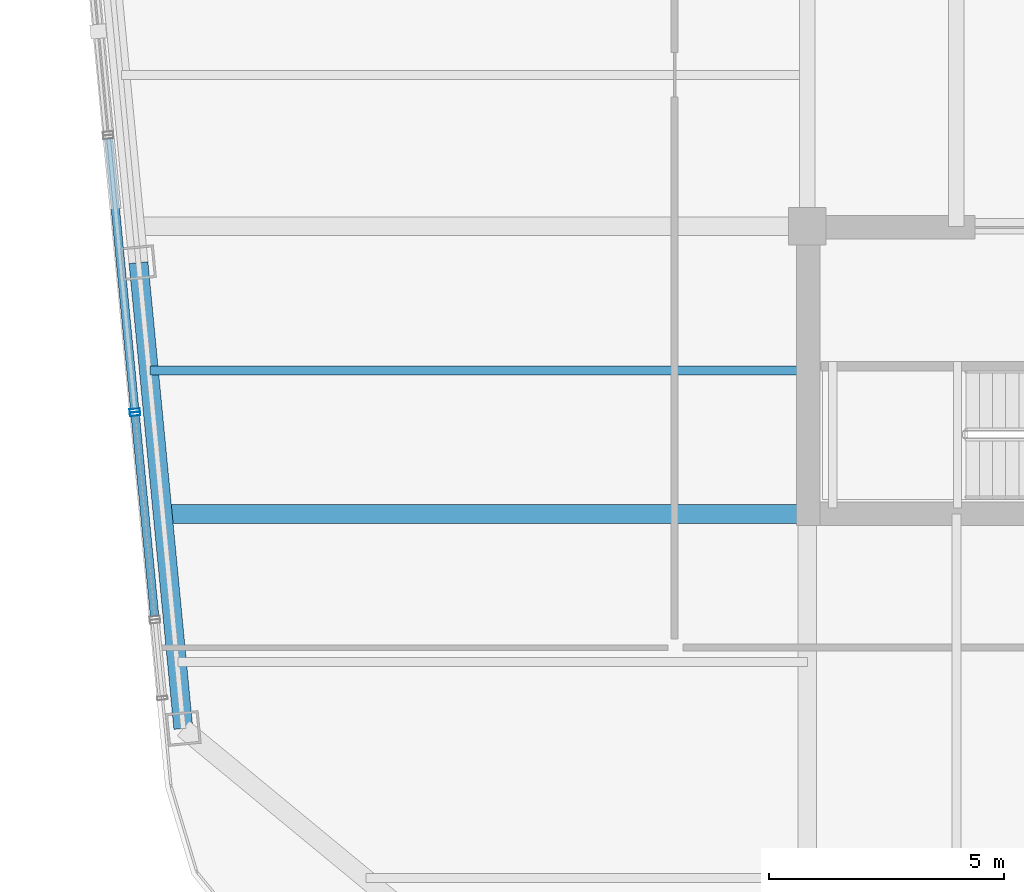
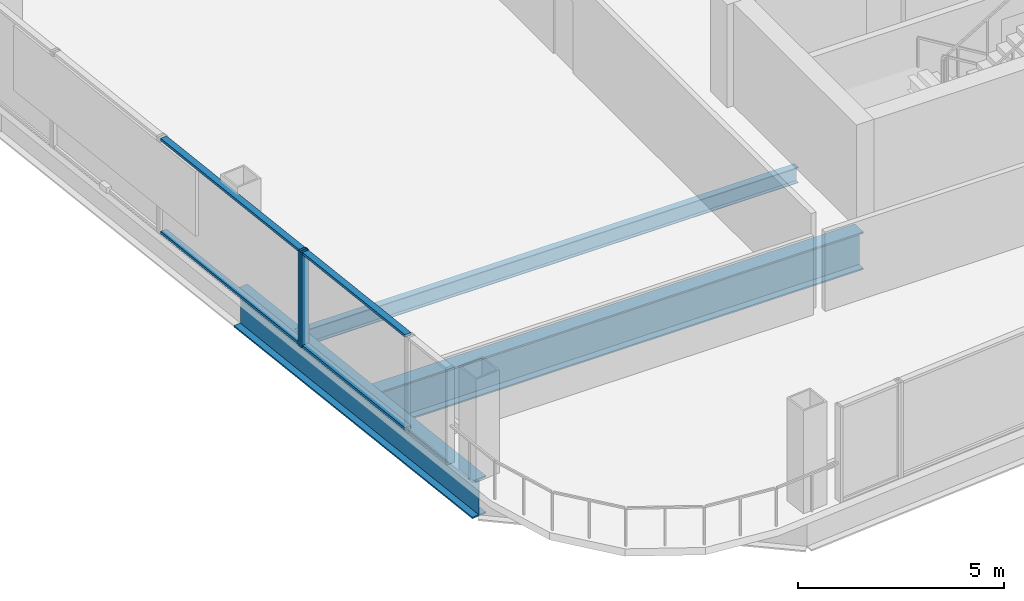
# One storey, part 3 of 28: 6 members, 3 beams, 2 elements without a shape of their own.
"""IFC4 building model written with IfcOpenShell, lengths in metres."""

from ifc_helpers import new_model, si_unit, direction, frame, origin, origin_2d, place, context, subcontext, project, spatial, hollow_rectangle, i_section, extrude, material, layer, layer_set, material_profile, profile_set, type_object, element, aggregate, save


model = new_model("IFC4")

# Units and contexts
model_context = context("Model", 3, precision=1e-05, world=origin(), true_north=direction((0.0, 1.0)))
body_context = subcontext(model_context, "Body", "Model", "MODEL_VIEW")
ifc_project = project(units=[si_unit("LENGTHUNIT", "METRE"), si_unit("AREAUNIT", "SQUARE_METRE"), si_unit("VOLUMEUNIT", "CUBIC_METRE"), si_unit("PLANEANGLEUNIT", "RADIAN"), si_unit("MASSUNIT", "GRAM", prefix="KILO")], contexts=[model_context])

# Site, building, storey
site_placement = place(None, origin())
site = spatial("IfcSite", under=ifc_project, at=site_placement, CompositionType="ELEMENT")
building_placement = place(site_placement, origin())
building = spatial("IfcBuilding", under=site, at=building_placement, Name="Qhalaya Broadcast Tower", CompositionType="ELEMENT")
storey_placement = place(building_placement, frame((0.0, 0.0, 159.199951171875)))
storey = spatial("IfcBuildingStorey", under=building, at=storey_placement, Name="L46", CompositionType="ELEMENT", Elevation=159.199951171875)

# Beams
ifc_material_1 = material(Name="Structural Steel ASTM A992 Grade 50", Category="steel")
ifc_material_profile_1 = material_profile(ifc_material_1, i_section(OverallWidth=0.19189453125, OverallDepth=0.462890625, WebThickness=0.010498046875, FlangeThickness=0.017578125, at=origin_2d()), Name="W18X60")
ifc_profile_set_1 = profile_set([ifc_material_profile_1], Name="Structural Steel ASTM A992 Grade 50")
beam_type_1 = type_object("IfcBeamType", Name="Composite Floor Joist J03", PredefinedType="JOIST", material=ifc_profile_set_1)
beam_1_placement = place(storey_placement, frame((-23.375732421875, -5.699951171875, -0.451416015625), z_axis=(1.0, 0.0, 0.0), x_axis=(0.0, 1.0, 0.0)))
element("IfcBeam", 1, at=beam_1_placement, inside=storey, type_object=beam_type_1, Name="L46 J03 L46-JWE3W-1", PredefinedType="JOIST", context=body_context, shape_type="SweptSolid", body=[
    extrude(i_section(OverallWidth=0.19189453125, OverallDepth=0.462890625, WebThickness=0.010498046875, FlangeThickness=0.017578125, at=origin_2d()), origin(), (0.0, 0.0, 1.0), 14.000732421875),
])
ifc_material_profile_2 = material_profile(ifc_material_1, i_section(OverallWidth=0.404052734375, OverallDepth=1.117919921875, WebThickness=0.026123046875, FlangeThickness=0.044921875, at=origin_2d()), Name="W44X335")
ifc_profile_set_2 = profile_set([ifc_material_profile_2], Name="Structural Steel ASTM A992 Grade 50")
beam_type_2 = type_object("IfcBeamType", Name="Podium Long-Span Primary Girder PG1", PredefinedType="USERDEFINED", material=ifc_profile_set_2)
beam_2_placement = place(storey_placement, frame((-23.6171875, -3.399658203125, -0.779052734375), z_axis=(0.09582862993, -0.995397846936, 0.0), x_axis=(0.995397846936, 0.09582862993, 0.0)))
element("IfcBeam", 2, at=beam_2_placement, inside=storey, type_object=beam_type_2, Name="L46 PG1 L46-SPR-15", ObjectType="GIRDER", PredefinedType="USERDEFINED", context=body_context, shape_type="SweptSolid", body=[
    extrude(i_section(OverallWidth=0.404052734375, OverallDepth=1.117919921875, WebThickness=0.026123046875, FlangeThickness=0.044921875, at=origin_2d()), origin(), (0.0, 0.0, 1.0), 9.966552734375),
])
beam_3_placement = place(storey_placement, frame((-23.08203125, -8.75, -0.779052734375), z_axis=(1.0, 0.0, 0.0), x_axis=(0.0, 1.0, 0.0)))
element("IfcBeam", 3, at=beam_3_placement, inside=storey, type_object=beam_type_2, Name="L46 PG1 L46-PGYW1-1", ObjectType="GIRDER", PredefinedType="USERDEFINED", context=body_context, shape_type="SweptSolid", body=[
    extrude(i_section(OverallWidth=0.404052734375, OverallDepth=1.117919921875, WebThickness=0.026123046875, FlangeThickness=0.044921875, at=origin_2d()), origin(), (0.0, 0.0, 1.0), 13.70703125),
])

# Curtain wall, member
ifc_material_2 = material(Name="Fired Architectural Terracotta", Category="masonry")
ifc_layer_1 = layer(ifc_material_2, 0.219970703125, Name="Fired Architectural Terracotta")
ifc_layer_set_1 = layer_set([ifc_layer_1], Name="Fired Architectural Terracotta")
curtain_wall_type_1 = type_object("IfcCurtainWallType", Name="Block-Cap Unitised Terracotta Spandrel Wall CW-07", PredefinedType="NOTDEFINED", material=ifc_layer_set_1)
curtain_wall_1_placement = place(storey_placement, origin())
curtain_wall_1 = element("IfcCurtainWall", 4, at=curtain_wall_1_placement, inside=storey, type_object=curtain_wall_type_1, Name="L46 Unitised Curtain Wall L46-CW-W5", PredefinedType="NOTDEFINED")
ifc_material_3 = material(Name="Anodised Aluminium 6063-T6", Category="aluminium")
ifc_material_profile_3 = material_profile(ifc_material_3, hollow_rectangle(XDim=0.074951171875, YDim=0.219970703125, WallThickness=0.00390625, at=origin_2d()), Name="ALU-MUL 75x220x4")
ifc_profile_set_3 = profile_set([ifc_material_profile_3], Name="Anodised Aluminium 6063-T6")
member_type_1 = type_object("IfcMemberType", Name="Unitised Curtain-Wall Mullion M01", PredefinedType="MULLION", material=ifc_profile_set_3)
member_1_placement = place(storey_placement, frame((-23.69580078125, -6.548828125, 0.0), z_axis=(0.0, 0.0, 1.0), x_axis=(0.095849311193, -0.9953958557, 0.0)))
member_1 = element("IfcMember", 5, at=member_1_placement, type_object=member_type_1, Name="CW-07 mullion 2", PredefinedType="MULLION", context=body_context, shape_type="SweptSolid", body=[
    extrude(hollow_rectangle(XDim=0.074951171875, YDim=0.219970703125, WallThickness=0.00390625, at=origin_2d()), origin(), (0.0, 0.0, 1.0), 2.830078125),
])

ifc_material_4 = material(Name="Solar-Control Low-E Triple Glazing", Category="glass")
ifc_layer_2 = layer(ifc_material_4, 0.219970703125, Name="Solar-Control Low-E Triple Glazing")
ifc_layer_set_2 = layer_set([ifc_layer_2], Name="Solar-Control Low-E Triple Glazing")
curtain_wall_type_2 = type_object("IfcCurtainWallType", Name="Even-Block 4-Storey Double-Module Curtain Wall CW-03", PredefinedType="NOTDEFINED", material=ifc_layer_set_2)
curtain_wall_2_placement = place(storey_placement, origin())
curtain_wall_2 = element("IfcCurtainWall", 6, at=curtain_wall_2_placement, inside=storey, type_object=curtain_wall_type_2, Name="L46 Unitised Curtain Wall L46-CW-W6", PredefinedType="NOTDEFINED")
member_2_placement = place(storey_placement, frame((-23.688720703125, -6.62353515625, 0.0), z_axis=(0.0, 0.0, 1.0), x_axis=(0.095832224028, -0.99539750092, 0.0)))
member_2 = element("IfcMember", 7, at=member_2_placement, type_object=member_type_1, Name="CW-03 mullion 1", PredefinedType="MULLION", context=body_context, shape_type="SweptSolid", body=[
    extrude(hollow_rectangle(XDim=0.074951171875, YDim=0.219970703125, WallThickness=0.00390625, at=origin_2d()), origin(), (0.0, 0.0, 1.0), 2.830078125),
])

# Member
ifc_material_profile_4 = material_profile(ifc_material_3, hollow_rectangle(XDim=0.074951171875, YDim=0.179931640625, WallThickness=0.00390625, at=origin_2d()), Name="ALU-TRN 75x180x4")
ifc_profile_set_4 = profile_set([ifc_material_profile_4], Name="Anodised Aluminium 6063-T6")
member_type_2 = type_object("IfcMemberType", Name="Unitised Curtain-Wall Transom T01", PredefinedType="USERDEFINED", material=ifc_profile_set_4)
member_3_placement = place(storey_placement, frame((-24.25341796875, -0.759033203125, 0.03759765625), z_axis=(0.095855691474, -0.995395241305, 0.0), x_axis=(0.0, 0.0, 1.0)))
member_3 = element("IfcMember", 8, at=member_3_placement, type_object=member_type_2, Name="CW-07 transom 1.1", ObjectType="TRANSOM", PredefinedType="USERDEFINED", context=body_context, shape_type="SweptSolid", body=[
    extrude(hollow_rectangle(XDim=0.074951171875, YDim=0.179931640625, WallThickness=0.00390625, at=origin_2d()), origin(), (0.0, 0.0, 1.0), 5.779052734375),
])

member_4_placement = place(storey_placement, frame((-24.25341796875, -0.759033203125, 2.79248046875), z_axis=(0.095855691474, -0.995395241305, 0.0), x_axis=(0.0, 0.0, 1.0)))
member_4 = element("IfcMember", 9, at=member_4_placement, type_object=member_type_2, Name="CW-07 transom 1.2", ObjectType="TRANSOM", PredefinedType="USERDEFINED", context=body_context, shape_type="SweptSolid", body=[
    extrude(hollow_rectangle(XDim=0.074951171875, YDim=0.179931640625, WallThickness=0.00390625, at=origin_2d()), origin(), (0.0, 0.0, 1.0), 5.779052734375),
])

aggregate(curtain_wall_1, [member_1, member_3, member_4])

member_5_placement = place(storey_placement, frame((-23.68505859375, -6.660888671875, 0.03759765625), z_axis=(0.095849139091, -0.995395872272, 0.0), x_axis=(0.0, 0.0, 1.0)))
member_5 = element("IfcMember", 10, at=member_5_placement, type_object=member_type_2, Name="CW-03 transom 1.1", ObjectType="TRANSOM", PredefinedType="USERDEFINED", context=body_context, shape_type="SweptSolid", body=[
    extrude(hollow_rectangle(XDim=0.074951171875, YDim=0.179931640625, WallThickness=0.00390625, at=origin_2d()), origin(), (0.0, 0.0, 1.0), 4.286865234375),
])

member_6_placement = place(storey_placement, frame((-23.68505859375, -6.660888671875, 2.79248046875), z_axis=(0.095849139091, -0.995395872272, 0.0), x_axis=(0.0, 0.0, 1.0)))
member_6 = element("IfcMember", 11, at=member_6_placement, type_object=member_type_2, Name="CW-03 transom 1.2", ObjectType="TRANSOM", PredefinedType="USERDEFINED", context=body_context, shape_type="SweptSolid", body=[
    extrude(hollow_rectangle(XDim=0.074951171875, YDim=0.179931640625, WallThickness=0.00390625, at=origin_2d()), origin(), (0.0, 0.0, 1.0), 4.286865234375),
])

aggregate(curtain_wall_2, [member_2, member_5, member_6])

save(model, "model.ifc")
